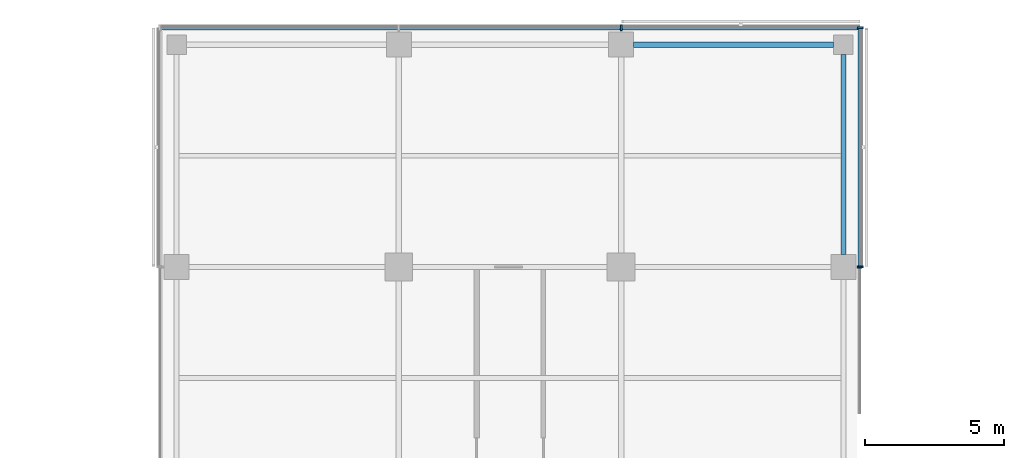
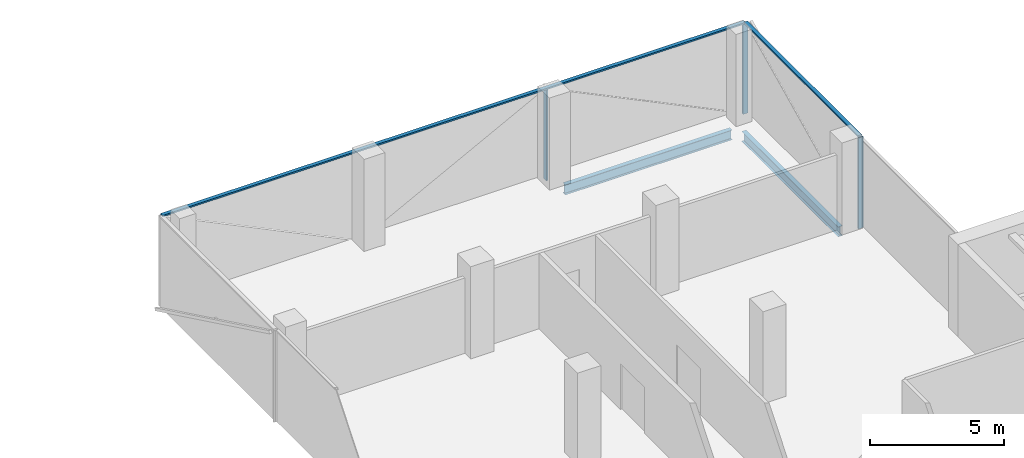
# One storey, part 10 of 22: 6 members, 2 beams, 3 elements without a shape of their own.
"""IFC4 building model written with IfcOpenShell, lengths in metres."""

from ifc_helpers import new_model, si_unit, direction, frame, origin, origin_2d, place, context, subcontext, project, spatial, rectangle, i_section, extrude, material, material_profile, profile_set, type_object, element, aggregate, save


model = new_model("IFC4")

# Units and contexts
model_context = context("Model", 3, precision=1e-05, world=origin(), true_north=direction((0.0, 1.0)))
body_context = subcontext(model_context, "Body", "Model", "MODEL_VIEW")
ifc_project = project(units=[si_unit("LENGTHUNIT", "METRE"), si_unit("AREAUNIT", "SQUARE_METRE"), si_unit("VOLUMEUNIT", "CUBIC_METRE"), si_unit("PLANEANGLEUNIT", "RADIAN"), si_unit("MASSUNIT", "GRAM", prefix="KILO")], contexts=[model_context])

# Site, building, storey
site_placement = place(None, origin())
site = spatial("IfcSite", under=ifc_project, at=site_placement, CompositionType="ELEMENT")
building_placement = place(site_placement, origin())
building = spatial("IfcBuilding", under=site, at=building_placement, Name="Crosswind Convention Tower", CompositionType="ELEMENT")
storey_placement = place(building_placement, frame((0.0, 0.0, 116.89990234375)))
storey = spatial("IfcBuildingStorey", under=building, at=storey_placement, Name="L23", CompositionType="ELEMENT", Elevation=116.89990234375)

# Beams
ifc_material_1 = material(Name="Steel S355", Category="steel")
ifc_material_profile_1 = material_profile(ifc_material_1, i_section(OverallWidth=0.18994140625, OverallDepth=0.45361328125, WebThickness=0.008544921875, FlangeThickness=0.0126953125, FilletRadius=0.01025390625, at=origin_2d()), Name="UB 457x191x67")
ifc_profile_set_1 = profile_set([ifc_material_profile_1], Name="Steel S355")
beam_type = type_object("IfcBeamType", Name="Edge beam UB 457x191x67", PredefinedType="SPANDREL", material=ifc_profile_set_1)
for number, where, z_axis, x_axis, name in (
    (1, (129.449951171875, 128.0, -0.526611328125), (1.0, 0.0, 0.0), (0.0, 1.0, 0.0), "B16 L23 edge beam 15"),
    (2, (137.0, 120.449951171875, -0.526611328125), (0.0, 1.0, 0.0), (-1.0, 0.0, 0.0), "B16 L23 edge beam 19"),
):
    element("IfcBeam", number, at=place(storey_placement, frame(where, z_axis=z_axis, x_axis=x_axis)), inside=storey, type_object=beam_type, Name=name, PredefinedType="SPANDREL", context=body_context, shape_type="SweptSolid", body=[
        extrude(i_section(OverallWidth=0.18994140625, OverallDepth=0.45361328125, WebThickness=0.008544921875, FlangeThickness=0.0126953125, FilletRadius=0.01025390625, at=origin_2d()), origin(), (0.0, 0.0, 1.0), 7.199951171875),
    ])

# Curtain wall, member
ifc_material_2 = material(Name="Aluminium unitised curtain wall", Category="aluminium")
curtain_wall_type_1 = type_object("IfcCurtainWallType", Name="CORE END SLOT WALL 160", PredefinedType="USERDEFINED", material=ifc_material_2)
curtain_wall_1_placement = place(storey_placement, origin())
curtain_wall_1 = element("IfcCurtainWall", 3, at=curtain_wall_1_placement, inside=storey, type_object=curtain_wall_type_1, Name="CW6 L23 N-E.1-1 slot", ObjectType="UNITISED", PredefinedType="USERDEFINED")
ifc_material_3 = material(Name="Aluminium mullion", Category="aluminium")
ifc_material_profile_2 = material_profile(ifc_material_3, rectangle(XDim=0.159912109375, YDim=0.050048828125, at=origin_2d()), Name="AL 160X50")
ifc_profile_set_2 = profile_set([ifc_material_profile_2], Name="Aluminium mullion")
member_type_1 = type_object("IfcMemberType", Name="MULLION 50X160", PredefinedType="MULLION", material=ifc_profile_set_2)
member_1_placement = place(storey_placement, frame((137.580078125, 119.97509765625, -0.2998046875), z_axis=(0.0, 0.0, 1.0), x_axis=(1.0, 0.0, 0.0)))
member_1 = element("IfcMember", 4, at=member_1_placement, type_object=member_type_1, Name="CW6 mullion 2", PredefinedType="MULLION", context=body_context, shape_type="SweptSolid", body=[
    extrude(rectangle(XDim=0.159912109375, YDim=0.050048828125, at=origin_2d()), origin(), (0.0, 0.0, 1.0), 4.14990234375),
])
aggregate(curtain_wall_1, [member_1])

# Curtain wall, members
curtain_wall_type_2 = type_object("IfcCurtainWallType", Name="OFFICE UNITISED WALL 220", PredefinedType="USERDEFINED", material=ifc_material_2)
curtain_wall_2_placement = place(storey_placement, origin())
curtain_wall_2 = element("IfcCurtainWall", 5, at=curtain_wall_2_placement, inside=storey, type_object=curtain_wall_type_2, Name="CW3 L23 N-E 1", ObjectType="UNITISED", PredefinedType="USERDEFINED")
ifc_material_profile_3 = material_profile(ifc_material_3, rectangle(XDim=0.219970703125, YDim=0.070068359375, at=origin_2d()), Name="AL 220X70")
ifc_profile_set_3 = profile_set([ifc_material_profile_3], Name="Aluminium mullion")
member_type_2 = type_object("IfcMemberType", Name="MULLION 70X220", PredefinedType="MULLION", material=ifc_profile_set_3)
member_2_placement = place(storey_placement, frame((137.610107421875, 120.0, -0.2998046875), z_axis=(0.0, 0.0, 1.0), x_axis=(1.0, 0.0, 0.0)))
member_2 = element("IfcMember", 6, at=member_2_placement, type_object=member_type_2, Name="CW3 mullion 1", PredefinedType="MULLION", context=body_context, shape_type="SweptSolid", body=[
    extrude(rectangle(XDim=0.219970703125, YDim=0.070068359375, at=origin_2d()), origin(), (0.0, 0.0, 1.0), 4.1298828125),
])
member_3_placement = place(storey_placement, frame((137.610107421875, 128.610107421875, -0.2998046875), z_axis=(0.0, 0.0, 1.0), x_axis=(1.0, 0.0, 0.0)))
member_3 = element("IfcMember", 7, at=member_3_placement, type_object=member_type_2, Name="CW3 mullion 2", PredefinedType="MULLION", context=body_context, shape_type="SweptSolid", body=[
    extrude(rectangle(XDim=0.219970703125, YDim=0.070068359375, at=origin_2d()), origin(), (0.0, 0.0, 1.0), 4.1298828125),
])

# Curtain wall, member
curtain_wall_3_placement = place(storey_placement, origin())
curtain_wall_3 = element("IfcCurtainWall", 8, at=curtain_wall_3_placement, inside=storey, type_object=curtain_wall_type_2, Name="CW3 L23 N-TIP 1", ObjectType="UNITISED", PredefinedType="USERDEFINED")
member_4_placement = place(storey_placement, frame((129.0, 128.610107421875, -0.2998046875), z_axis=(0.0, 0.0, 1.0), x_axis=(0.0, 1.0, 0.0)))
member_4 = element("IfcMember", 9, at=member_4_placement, type_object=member_type_2, Name="CW3 mullion 2", PredefinedType="MULLION", context=body_context, shape_type="SweptSolid", body=[
    extrude(rectangle(XDim=0.219970703125, YDim=0.070068359375, at=origin_2d()), origin(), (0.0, 0.0, 1.0), 4.1298828125),
])

# Member
ifc_material_4 = material(Name="Aluminium transom", Category="aluminium")
ifc_material_profile_4 = material_profile(ifc_material_4, rectangle(XDim=0.159912109375, YDim=0.070068359375, at=origin_2d()), Name="AL 160X70")
ifc_profile_set_4 = profile_set([ifc_material_profile_4], Name="Aluminium transom")
member_type_3 = type_object("IfcMemberType", Name="TRANSOM 70X160", PredefinedType="USERDEFINED", material=ifc_profile_set_4)
member_5_placement = place(storey_placement, frame((137.610107421875, 120.034912109375, 3.864990234375), z_axis=(0.0, 1.0, 0.0), x_axis=(-1.0, 0.0, 0.0)))
member_5 = element("IfcMember", 10, at=member_5_placement, type_object=member_type_3, Name="CW3 transom", ObjectType="TRANSOM", PredefinedType="USERDEFINED", context=body_context, shape_type="SweptSolid", body=[
    extrude(rectangle(XDim=0.159912109375, YDim=0.070068359375, at=origin_2d()), origin(), (0.0, 0.0, 1.0), 8.5400390625),
])

aggregate(curtain_wall_2, [member_2, member_3, member_5])

member_6_placement = place(storey_placement, frame((137.574951171875, 128.610107421875, 3.864990234375), z_axis=(-1.0, 0.0, 0.0), x_axis=(0.0, -1.0, 0.0)))
member_6 = element("IfcMember", 11, at=member_6_placement, type_object=member_type_3, Name="CW3 transom", ObjectType="TRANSOM", PredefinedType="USERDEFINED", context=body_context, shape_type="SweptSolid", body=[
    extrude(rectangle(XDim=0.159912109375, YDim=0.070068359375, at=origin_2d()), origin(), (0.0, 0.0, 1.0), 25.14990234375),
])

aggregate(curtain_wall_3, [member_4, member_6])

save(model, "model.ifc")
